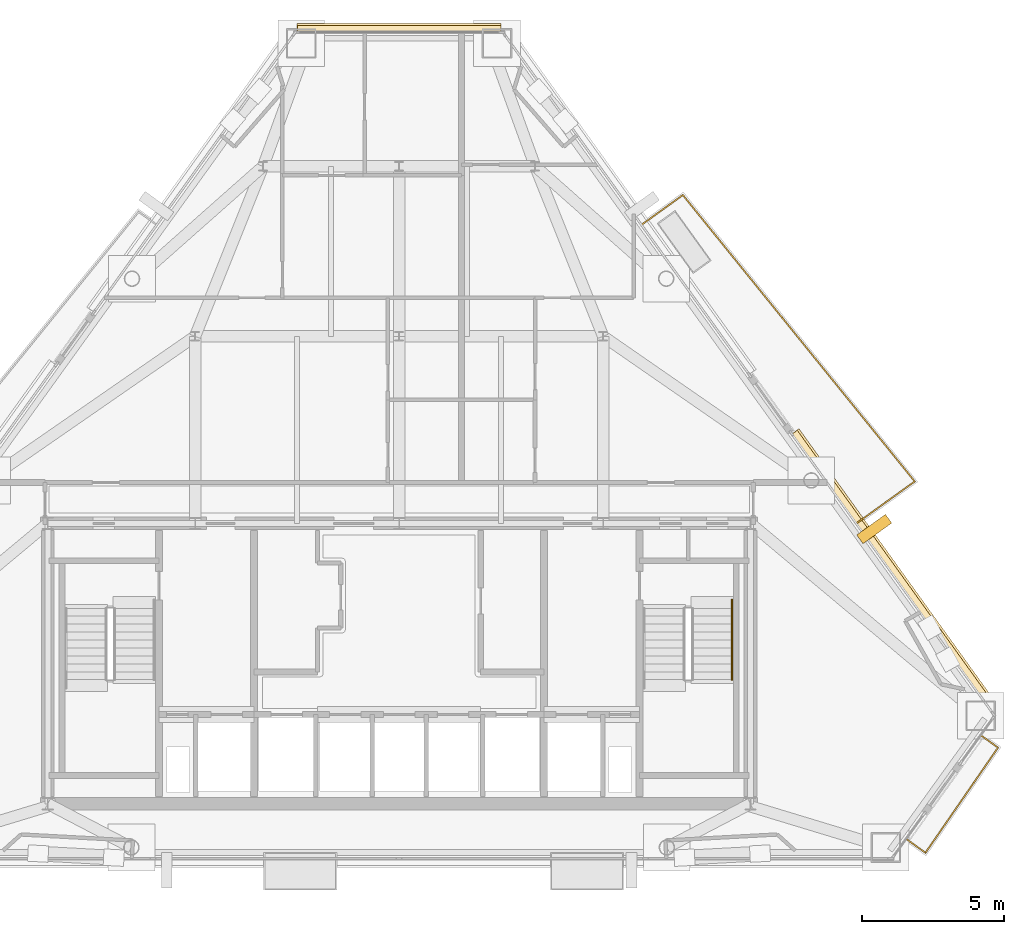
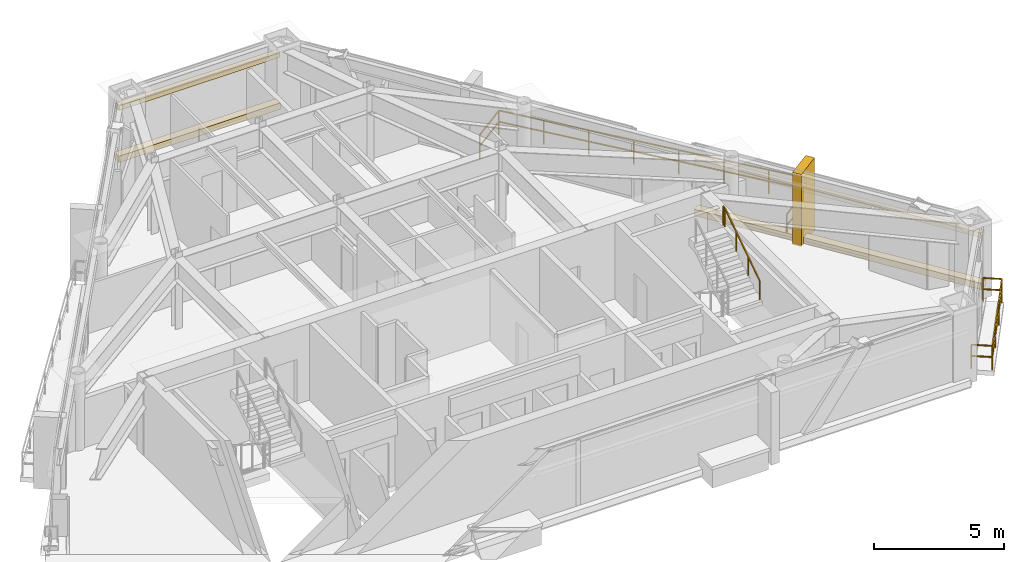
# One storey, part 11 of 11: 5 coverings, 3 railings.
"""IFC4 building model written with IfcOpenShell, lengths in metres."""

from ifc_helpers import new_model, si_unit, direction, frame, origin, origin_2d, place, context, subcontext, project, spatial, rectangle, extrude, material, layer, layer_set, type_object, element, save


model = new_model("IFC4")

# Units and contexts
model_context = context("Model", 3, precision=1e-05, world=origin(), true_north=direction((0.0, 1.0)))
body_context = subcontext(model_context, "Body", "Model", "MODEL_VIEW")
ifc_project = project(units=[si_unit("LENGTHUNIT", "METRE"), si_unit("AREAUNIT", "SQUARE_METRE"), si_unit("VOLUMEUNIT", "CUBIC_METRE"), si_unit("PLANEANGLEUNIT", "RADIAN"), si_unit("MASSUNIT", "GRAM", prefix="KILO")], contexts=[model_context])

# Site, building, storey
site_placement = place(None, origin())
site = spatial("IfcSite", under=ifc_project, at=site_placement, CompositionType="ELEMENT")
building_placement = place(site_placement, origin())
building = spatial("IfcBuilding", under=site, at=building_placement, Name="Talgorran Terracotta Tower", CompositionType="ELEMENT")
storey_placement = place(building_placement, frame((0.0, 0.0, 200.10009765625)))
storey = spatial("IfcBuildingStorey", under=building, at=storey_placement, Name="L52", CompositionType="ELEMENT", Elevation=200.10009765625)

# Coverings
ifc_material_1 = material(Name="Kiln-Fired Terracotta Ochre Ceramic", Category="masonry")
ifc_layer_1 = layer(ifc_material_1, 0.179931640625, Name="COV_BAGUETTE_TERRACOTTA_SCREEN")
ifc_layer_set_1 = layer_set([ifc_layer_1], Name="Kiln-Fired Terracotta Ochre Ceramic")
covering_type_1 = type_object("IfcCoveringType", Name="COV_BAGUETTE_TERRACOTTA_SCREEN", PredefinedType="CLADDING", material=ifc_layer_set_1)
covering_1_placement = place(storey_placement, frame((17.490478515625, -5.9189453125, 2.41015625), z_axis=(0.0, 0.0, 1.0), x_axis=(-0.583980505394, 0.811767681864, 0.0)))
element("IfcCovering", 1, at=covering_1_placement, inside=storey, type_object=covering_type_1, Name="L52 Terracotta Baguette Solar Screen Assembly F40", PredefinedType="CLADDING", context=body_context, shape_type="SweptSolid", body=[
    extrude(rectangle(XDim=12.135009765625, YDim=0.260009765625, at=origin_2d()), origin(), (0.0, 0.0, 1.0), 0.219970703125),
])
covering_2_placement = place(storey_placement, frame((0.0, 13.23876953125, 2.41015625), z_axis=(0.0, 0.0, 1.0), x_axis=(-1.0, 0.0, 0.0)))
element("IfcCovering", 2, at=covering_2_placement, inside=storey, type_object=covering_type_1, Name="L52 Terracotta Baguette Solar Screen Assembly F4", PredefinedType="CLADDING", context=body_context, shape_type="SweptSolid", body=[
    extrude(rectangle(XDim=7.17431640625, YDim=0.260009765625, at=origin_2d()), origin(), (0.0, 0.0, 1.0), 0.219970703125),
])
ifc_material_2 = material(Name="Honed Limestone Cladding", Category="masonry")
ifc_layer_2 = layer(ifc_material_2, 0.094970703125, Name="COV_PORTAL_LIME")
ifc_layer_set_2 = layer_set([ifc_layer_2], Name="Honed Limestone Cladding")
covering_type_2 = type_object("IfcCoveringType", Name="COV_PORTAL_LIME", PredefinedType="CLADDING", material=ifc_layer_set_2)
covering_3_placement = place(storey_placement, frame((17.52294921875, -5.8955078125, -0.0400390625), z_axis=(0.0, 0.0, 1.0), x_axis=(-0.583980505394, 0.811767681864, 0.0)))
element("IfcCovering", 3, at=covering_3_placement, inside=storey, type_object=covering_type_2, Name="L52 Striped Postmodern Portal Cladding Band F40", PredefinedType="CLADDING", context=body_context, shape_type="SweptSolid", body=[
    extrude(rectangle(XDim=12.155029296875, YDim=0.340087890625, at=origin_2d()), origin(), (0.0, 0.0, 1.0), 0.300048828125),
])
covering_4_placement = place(storey_placement, frame((0.0, 13.27880859375, -0.0400390625), z_axis=(0.0, 0.0, 1.0), x_axis=(-1.0, 0.0, 0.0)))
element("IfcCovering", 4, at=covering_4_placement, inside=storey, type_object=covering_type_2, Name="L52 Striped Postmodern Portal Cladding Band F4", PredefinedType="CLADDING", context=body_context, shape_type="SweptSolid", body=[
    extrude(rectangle(XDim=7.194091796875, YDim=0.340087890625, at=origin_2d()), origin(), (0.0, 0.0, 1.0), 0.300048828125),
])
ifc_material_3 = material(Name="Kiln-Fired Terracotta Cladding", Category="masonry")
ifc_layer_3 = layer(ifc_material_3, 0.090087890625, Name="COV_PORTAL_TERRA")
ifc_layer_set_3 = layer_set([ifc_layer_3], Name="Kiln-Fired Terracotta Cladding")
covering_type_3 = type_object("IfcCoveringType", Name="COV_PORTAL_TERRA", PredefinedType="CLADDING", material=ifc_layer_set_3)
covering_5_placement = place(storey_placement, frame((16.768798828125, -4.402099609375, -0.050048828125), z_axis=(0.0, 0.0, 1.0), x_axis=(-0.583980505394, 0.811767681864, 0.0)))
element("IfcCovering", 5, at=covering_5_placement, inside=storey, type_object=covering_type_3, Name="L52 Terracotta Striped Portal Fin F3-1", PredefinedType="CLADDING", context=body_context, shape_type="SweptSolid", body=[
    extrude(rectangle(XDim=0.3798828125, YDim=1.25, at=origin_2d()), origin(), (0.0, 0.0, 1.0), 3.39501953125),
])

# Railings
ifc_material_4 = material(Name="Laminated Glass and Stainless Steel 316", Category="steel")
railing_type_1 = type_object("IfcRailingType", Name="RL_BALCONY_1150", PredefinedType="BALUSTRADE", material=ifc_material_4)
railing_1_placement = place(storey_placement, frame((16.15185546875, -4.1953125, 0.0)))
element("IfcRailing", 6, at=railing_1_placement, inside=storey, type_object=railing_type_1, Name="RL-L52-BAL-BAL-NE", PredefinedType="BALUSTRADE", context=body_context, shape_type="SweptSolid", body=[
    extrude(rectangle(XDim=0.048095703125, YDim=0.048095703125, at=origin_2d()), frame((0.0, 0.0, 1.1259765625), z_axis=(0.811752848163, 0.58400112457, 0.0), x_axis=(-0.58400112457, 0.811752848163, 0.0)), (0.0, 0.0, 1.0), 2.521240234375),
    extrude(rectangle(XDim=0.048095703125, YDim=0.048095703125, at=origin_2d()), frame((0.0, 0.0, 0.597900390625), z_axis=(0.811752848163, 0.58400112457, 0.0), x_axis=(-0.58400112457, 0.811752848163, 0.0)), (0.0, 0.0, 1.0), 2.521240234375),
    extrude(rectangle(XDim=0.048095703125, YDim=0.048095703125, at=origin_2d()), frame((2.046630859375, 1.472412109375, 1.1259765625), z_axis=(-0.62925600867, 0.777198092865, 0.0), x_axis=(-0.777198092865, -0.62925600867, 0.0)), (0.0, 0.0, 1.0), 13.005615234375),
    extrude(rectangle(XDim=0.048095703125, YDim=0.048095703125, at=origin_2d()), frame((2.046630859375, 1.472412109375, 0.597900390625), z_axis=(-0.62925600867, 0.777198092865, 0.0), x_axis=(-0.777198092865, -0.62925600867, 0.0)), (0.0, 0.0, 1.0), 13.005615234375),
    extrude(rectangle(XDim=0.048095703125, YDim=0.048095703125, at=origin_2d()), frame((-6.13720703125, 11.580322265625, 1.1259765625), z_axis=(-0.811802110488, -0.583932644581, 0.0), x_axis=(0.583932644581, -0.811802110488, 0.0)), (0.0, 0.0, 1.0), 1.78076171875),
    extrude(rectangle(XDim=0.048095703125, YDim=0.048095703125, at=origin_2d()), frame((-6.13720703125, 11.580322265625, 0.597900390625), z_axis=(-0.811802110488, -0.583932644581, 0.0), x_axis=(0.583932644581, -0.811802110488, 0.0)), (0.0, 0.0, 1.0), 1.78076171875),
    extrude(rectangle(XDim=0.0419921875, YDim=0.0419921875, at=origin_2d()), origin(), (0.0, 0.0, 1.0), 1.101806640625),
    extrude(rectangle(XDim=0.0419921875, YDim=0.0419921875, at=origin_2d()), frame((1.0234375, 0.736328125, 0.0)), (0.0, 0.0, 1.0), 1.101806640625),
    extrude(rectangle(XDim=0.0419921875, YDim=0.0419921875, at=origin_2d()), frame((2.046630859375, 1.472412109375, 0.0)), (0.0, 0.0, 1.0), 1.101806640625),
    extrude(rectangle(XDim=0.0419921875, YDim=0.0419921875, at=origin_2d()), frame((0.87744140625, 2.91650390625, 0.0)), (0.0, 0.0, 1.0), 1.101806640625),
    extrude(rectangle(XDim=0.0419921875, YDim=0.0419921875, at=origin_2d()), frame((-0.29150390625, 4.3603515625, 0.0)), (0.0, 0.0, 1.0), 1.101806640625),
    extrude(rectangle(XDim=0.0419921875, YDim=0.0419921875, at=origin_2d()), frame((-1.460693359375, 5.804443359375, 0.0)), (0.0, 0.0, 1.0), 1.101806640625),
    extrude(rectangle(XDim=0.0419921875, YDim=0.0419921875, at=origin_2d()), frame((-2.6298828125, 7.248291015625, 0.0)), (0.0, 0.0, 1.0), 1.101806640625),
    extrude(rectangle(XDim=0.0419921875, YDim=0.0419921875, at=origin_2d()), frame((-3.799072265625, 8.6923828125, 0.0)), (0.0, 0.0, 1.0), 1.101806640625),
    extrude(rectangle(XDim=0.0419921875, YDim=0.0419921875, at=origin_2d()), frame((-4.968017578125, 10.13623046875, 0.0)), (0.0, 0.0, 1.0), 1.101806640625),
    extrude(rectangle(XDim=0.0419921875, YDim=0.0419921875, at=origin_2d()), frame((-6.13720703125, 11.580322265625, 0.0)), (0.0, 0.0, 1.0), 1.101806640625),
    extrude(rectangle(XDim=0.0419921875, YDim=0.0419921875, at=origin_2d()), frame((-7.582763671875, 10.54052734375, 0.0)), (0.0, 0.0, 1.0), 1.101806640625),
])
railing_2_placement = place(storey_placement, frame((17.908203125, -15.347900390625, 0.0)))
element("IfcRailing", 7, at=railing_2_placement, inside=storey, type_object=railing_type_1, Name="RL-L52-BAL-BAL-SE", PredefinedType="BALUSTRADE", context=body_context, shape_type="SweptSolid", body=[
    extrude(rectangle(XDim=0.048095703125, YDim=0.048095703125, at=origin_2d()), frame((0.0, 0.0, 1.1259765625), z_axis=(0.811826574919, -0.583898631833, 0.0), x_axis=(0.583898631833, 0.811826574919, 0.0)), (0.0, 0.0, 1.0), 0.82373046875),
    extrude(rectangle(XDim=0.048095703125, YDim=0.048095703125, at=origin_2d()), frame((0.0, 0.0, 0.597900390625), z_axis=(0.811826574919, -0.583898631833, 0.0), x_axis=(0.583898631833, 0.811826574919, 0.0)), (0.0, 0.0, 1.0), 0.82373046875),
    extrude(rectangle(XDim=0.048095703125, YDim=0.048095703125, at=origin_2d()), frame((0.668701171875, -0.48095703125, 1.1259765625), z_axis=(0.567950592911, 0.823062648899, 0.0), x_axis=(-0.823062648899, 0.567950592911, 0.0)), (0.0, 0.0, 1.0), 4.50830078125),
    extrude(rectangle(XDim=0.048095703125, YDim=0.048095703125, at=origin_2d()), frame((0.668701171875, -0.48095703125, 0.597900390625), z_axis=(0.567950592911, 0.823062648899, 0.0), x_axis=(-0.823062648899, 0.567950592911, 0.0)), (0.0, 0.0, 1.0), 4.50830078125),
    extrude(rectangle(XDim=0.048095703125, YDim=0.048095703125, at=origin_2d()), frame((3.229248046875, 3.229736328125, 1.1259765625), z_axis=(-0.81186787445, 0.583841206524, 0.0), x_axis=(-0.583841206524, -0.81186787445, 0.0)), (0.0, 0.0, 1.0), 0.735595703125),
    extrude(rectangle(XDim=0.048095703125, YDim=0.048095703125, at=origin_2d()), frame((3.229248046875, 3.229736328125, 0.597900390625), z_axis=(-0.81186787445, 0.583841206524, 0.0), x_axis=(-0.583841206524, -0.81186787445, 0.0)), (0.0, 0.0, 1.0), 0.735595703125),
    extrude(rectangle(XDim=0.0419921875, YDim=0.0419921875, at=origin_2d()), origin(), (0.0, 0.0, 1.0), 1.101806640625),
    extrude(rectangle(XDim=0.0419921875, YDim=0.0419921875, at=origin_2d()), frame((0.668701171875, -0.48095703125, 0.0)), (0.0, 0.0, 1.0), 1.101806640625),
    extrude(rectangle(XDim=0.0419921875, YDim=0.0419921875, at=origin_2d()), frame((1.522216796875, 0.755859375, 0.0)), (0.0, 0.0, 1.0), 1.101806640625),
    extrude(rectangle(XDim=0.0419921875, YDim=0.0419921875, at=origin_2d()), frame((2.375732421875, 1.992919921875, 0.0)), (0.0, 0.0, 1.0), 1.101806640625),
    extrude(rectangle(XDim=0.0419921875, YDim=0.0419921875, at=origin_2d()), frame((3.229248046875, 3.229736328125, 0.0)), (0.0, 0.0, 1.0), 1.101806640625),
    extrude(rectangle(XDim=0.0419921875, YDim=0.0419921875, at=origin_2d()), frame((2.632080078125, 3.6591796875, 0.0)), (0.0, 0.0, 1.0), 1.101806640625),
])
ifc_material_5 = material(Name="Steel S355 (300PLUS)", Category="steel")
railing_type_2 = type_object("IfcRailingType", Name="RL_HANDRAIL_920", PredefinedType="HANDRAIL", material=ifc_material_5)
railing_3_placement = place(storey_placement, frame((11.75, -9.719970703125, 1.97998046875)))
element("IfcRailing", 8, at=railing_3_placement, inside=storey, type_object=railing_type_2, Name="L52 ST-02 stair handrail 2", PredefinedType="HANDRAIL", context=body_context, shape_type="SweptSolid", body=[
    extrude(rectangle(XDim=0.048095703125, YDim=0.048095703125, at=origin_2d()), frame((0.0, 0.0, 0.89599609375), z_axis=(0.0, 0.832073444223, 0.554665469827), x_axis=(-1.0, 0.0, 0.0)), (0.0, 0.0, 1.0), 3.244873046875),
    extrude(rectangle(XDim=0.048095703125, YDim=0.048095703125, at=origin_2d()), frame((0.0, 2.699951171875, 2.69580078125), z_axis=(0.0, 1.0, 0.0), x_axis=(-1.0, 0.0, 0.0)), (0.0, 0.0, 1.0), 0.1201171875),
    extrude(rectangle(XDim=0.0419921875, YDim=0.0419921875, at=origin_2d()), origin(), (0.0, 0.0, 1.0), 0.871826171875),
    extrude(rectangle(XDim=0.0419921875, YDim=0.0419921875, at=origin_2d()), frame((0.0, 0.89990234375, 0.599853515625)), (0.0, 0.0, 1.0), 0.871826171875),
    extrude(rectangle(XDim=0.0419921875, YDim=0.0419921875, at=origin_2d()), frame((0.0, 1.800048828125, 1.199951171875)), (0.0, 0.0, 1.0), 0.871826171875),
    extrude(rectangle(XDim=0.0419921875, YDim=0.0419921875, at=origin_2d()), frame((0.0, 2.699951171875, 1.7998046875)), (0.0, 0.0, 1.0), 0.871826171875),
    extrude(rectangle(XDim=0.0419921875, YDim=0.0419921875, at=origin_2d()), frame((0.0, 2.820068359375, 1.7998046875)), (0.0, 0.0, 1.0), 0.871826171875),
])

save(model, "model.ifc")
